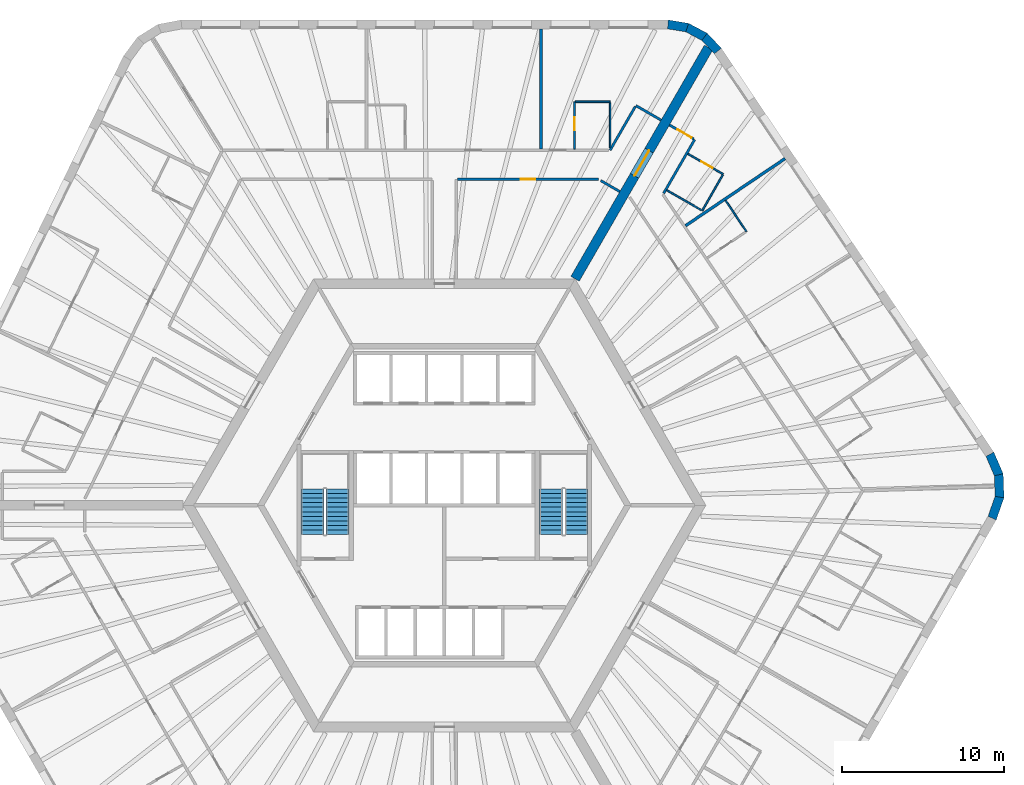
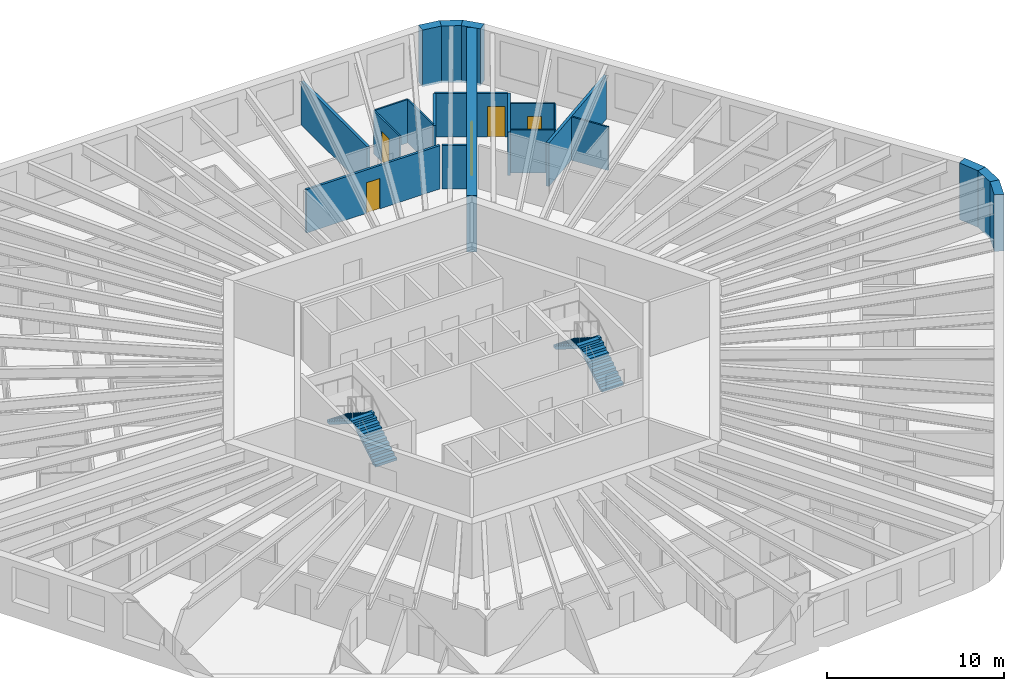
# One storey, part 10 of 11: 22 walls, 5 doors, 4 stair flights, 5 openings, 2 elements without a shape of their own.
"""IFC4 building model written with IfcOpenShell, lengths in metres."""

from ifc_helpers import new_model, si_unit, direction, frame, frame_2d, origin, place, context, subcontext, project, spatial, polyline, rectangle, outline, extrude, material, layer, layer_set, type_object, element, fill, aggregate, save


model = new_model("IFC4")

# Units and contexts
model_context = context("Model", 3, precision=1e-05, world=origin(), true_north=direction((0.0, 1.0)))
body_context = subcontext(model_context, "Body", "Model", "MODEL_VIEW")
ifc_project = project(units=[si_unit("LENGTHUNIT", "METRE"), si_unit("AREAUNIT", "SQUARE_METRE"), si_unit("VOLUMEUNIT", "CUBIC_METRE"), si_unit("PLANEANGLEUNIT", "RADIAN"), si_unit("MASSUNIT", "GRAM", prefix="KILO")], contexts=[model_context])

# Site, building, storey
site_placement = place(None, origin())
site = spatial("IfcSite", under=ifc_project, at=site_placement, CompositionType="ELEMENT")
building_placement = place(site_placement, origin())
building = spatial("IfcBuilding", under=site, at=building_placement, Name="Tarnside Tower", CompositionType="ELEMENT")
storey_placement = place(building_placement, frame((0.0, 0.0, 41.39990234375)))
storey = spatial("IfcBuildingStorey", under=building, at=storey_placement, Name="L07", CompositionType="ELEMENT", Elevation=41.39990234375)

# Wall, opening, door
ifc_material_1 = material(Name="Gypsum board partition on steel studs", Category="steel")
ifc_layer_1 = layer(ifc_material_1, 0.10009765625)
ifc_layer_set_1 = layer_set([ifc_layer_1], Name="Bathroom wall 100")
wall_type_1 = type_object("IfcWallType", Name="Bathroom wall 100", PredefinedType="PARTITIONING", material=ifc_layer_set_1)
wall_1_placement = place(storey_placement, frame((8.0478515625, 22.02490234375, 0.0), z_axis=(0.0, 0.0, 1.0), x_axis=(0.0, 1.0, 0.0)))
wall_1 = element("IfcWall", 1, at=wall_1_placement, inside=storey, type_object=wall_type_1, Name="Bathroom wall 01077", PredefinedType="PARTITIONING", context=body_context, shape_type="SweptSolid", body=[
    extrude(rectangle(XDim=2.925048828125, YDim=0.10009765625, at=frame_2d((1.46240234375, 0.0))), origin(), (0.0, 0.0, 1.0), 2.98779296875),
])
opening_1_placement = place(wall_1_placement, frame((1.175048828125, 0.0, 0.0)))
opening_1 = element("IfcOpeningElement", 2, at=opening_1_placement, cuts=wall_1, Name="Opening D-B1", PredefinedType="OPENING", context=body_context, shape_type="SweptSolid", body=[
    extrude(rectangle(XDim=0.800048828125, YDim=2.10009765625, at=frame_2d((0.39990234375, 1.050048828125))), frame((0.0, 0.06005859375, 0.0), z_axis=(0.0, -1.0, 0.0), x_axis=(1.0, 0.0, 0.0)), (0.0, 0.0, 1.0), 0.1201171875),
])
ifc_material_2 = material(Name="Timber door leaf", Category="wood")
door_type_1 = type_object("IfcDoorType", Name="Bathroom door 800", OperationType="NOTDEFINED", PredefinedType="DOOR", material=ifc_material_2)
door_1_placement = place(opening_1_placement, origin())
door_1 = element("IfcDoor", 3, at=door_1_placement, inside=storey, type_object=door_type_1, Name="Bathroom door 01002", OperationType="SINGLE_SWING_LEFT", OverallHeight=2.10009765625, OverallWidth=0.800048828125, PredefinedType="DOOR", context=body_context, shape_type="SweptSolid", body=[
    extrude(rectangle(XDim=0.800048828125, YDim=2.10009765625, at=frame_2d((0.39990234375, 1.050048828125))), frame((0.0, 0.02490234375, 0.0), z_axis=(0.0, -1.0, 0.0), x_axis=(1.0, 0.0, 0.0)), (0.0, 0.0, 1.0), 0.050048828125),
])
fill(opening_1, door_1)

# Walls
wall_2_placement = place(storey_placement, frame((8.097900390625, 24.949951171875, 0.0), z_axis=(0.0, 0.0, 1.0), x_axis=(1.0, 0.0, 0.0)))
element("IfcWall", 4, at=wall_2_placement, inside=storey, type_object=wall_type_1, Name="Bathroom wall 01078", PredefinedType="PARTITIONING", context=body_context, shape_type="SweptSolid", body=[
    extrude(rectangle(XDim=2.150146484375, YDim=0.10009765625, at=frame_2d((1.0751953125, 0.0))), origin(), (0.0, 0.0, 1.0), 2.98779296875),
])
wall_3_placement = place(storey_placement, frame((10.248046875, 24.89990234375, 0.0), z_axis=(0.0, 0.0, 1.0), x_axis=(0.0, -1.0, 0.0)))
element("IfcWall", 5, at=wall_3_placement, inside=storey, type_object=wall_type_1, Name="Bathroom wall 01079", PredefinedType="PARTITIONING", context=body_context, shape_type="SweptSolid", body=[
    extrude(rectangle(XDim=2.7998046875, YDim=0.10009765625, at=frame_2d((1.39990234375, 0.0))), origin(), (0.0, 0.0, 1.0), 2.98779296875),
])
wall_4_placement = place(storey_placement, frame((17.385986328125, 18.84228515625, 0.0), z_axis=(0.0, 0.0, 1.0), x_axis=(0.559131530856, -0.829078965602, 0.0)))
element("IfcWall", 6, at=wall_4_placement, inside=storey, type_object=wall_type_1, Name="Bathroom wall 01147", PredefinedType="PARTITIONING", context=body_context, shape_type="SweptSolid", body=[
    extrude(rectangle(XDim=2.309814453125, YDim=0.10009765625, at=frame_2d((1.15478515625, 0.0))), origin(), (0.0, 0.0, 1.0), 2.98779296875),
])

# Wall, opening, door
wall_5_placement = place(storey_placement, frame((15.057373046875, 21.72998046875, 0.0), z_axis=(0.0, 0.0, 1.0), x_axis=(0.866014894461, -0.50001820224, 0.0)))
wall_5 = element("IfcWall", 7, at=wall_5_placement, inside=storey, type_object=wall_type_1, Name="Bathroom wall 01153", PredefinedType="PARTITIONING", context=body_context, shape_type="SweptSolid", body=[
    extrude(rectangle(XDim=2.52490234375, YDim=0.10009765625, at=frame_2d((1.262451171875, 0.0))), origin(), (0.0, 0.0, 1.0), 2.98779296875),
])
opening_2_placement = place(wall_5_placement, frame((0.955078125, 0.0, 0.0)))
opening_2 = element("IfcOpeningElement", 8, at=opening_2_placement, cuts=wall_5, Name="Opening D-B1", PredefinedType="OPENING", context=body_context, shape_type="SweptSolid", body=[
    extrude(rectangle(XDim=0.800048828125, YDim=2.10009765625, at=frame_2d((0.39990234375, 1.050048828125))), frame((0.0, 0.06005859375, 0.0), z_axis=(0.0, -1.0, 0.0), x_axis=(1.0, 0.0, 0.0)), (0.0, 0.0, 1.0), 0.1201171875),
])
door_2_placement = place(opening_2_placement, origin())
door_2 = element("IfcDoor", 9, at=door_2_placement, inside=storey, type_object=door_type_1, Name="Bathroom door 01041", OperationType="SINGLE_SWING_LEFT", OverallHeight=2.10009765625, OverallWidth=0.800048828125, PredefinedType="DOOR", context=body_context, shape_type="SweptSolid", body=[
    extrude(rectangle(XDim=0.800048828125, YDim=2.10009765625, at=frame_2d((0.39990234375, 1.050048828125))), frame((0.0, 0.02490234375, 0.0), z_axis=(0.0, -1.0, 0.0), x_axis=(1.0, 0.0, 0.0)), (0.0, 0.0, 1.0), 0.050048828125),
])
fill(opening_2, door_2)

# Walls
wall_6_placement = place(storey_placement, frame((17.218994140625, 20.42431640625, 0.0), z_axis=(0.0, 0.0, 1.0), x_axis=(-0.499948979701, -0.866054858364, 0.0)))
element("IfcWall", 10, at=wall_6_placement, inside=storey, type_object=wall_type_1, Name="Bathroom wall 01154", PredefinedType="PARTITIONING", context=body_context, shape_type="SweptSolid", body=[
    extrude(rectangle(XDim=2.550048828125, YDim=0.10009765625, at=frame_2d((1.27490234375, 0.0))), origin(), (0.0, 0.0, 1.0), 2.98779296875),
])
wall_7_placement = place(storey_placement, frame((15.900634765625, 18.24072265625, 0.0), z_axis=(0.0, 0.0, 1.0), x_axis=(-0.866006523861, 0.500032699561, 0.0)))
element("IfcWall", 11, at=wall_7_placement, inside=storey, type_object=wall_type_1, Name="Bathroom wall 01155", PredefinedType="PARTITIONING", context=body_context, shape_type="SweptSolid", body=[
    extrude(rectangle(XDim=2.474853515625, YDim=0.10009765625, at=frame_2d((1.2373046875, 0.0))), origin(), (0.0, 0.0, 1.0), 2.98779296875),
])

# Wall, opening, door
ifc_material_3 = material(Name="Concrete C80/95", Category="concrete")
ifc_layer_2 = layer(ifc_material_3, 0.60009765625)
ifc_layer_set_2 = layer_set([ifc_layer_2], Name="Core wall Z1 600 C80/95")
wall_type_2 = type_object("IfcWallType", Name="Core wall Z1 600 C80/95", PredefinedType="SHEAR", material=ifc_layer_set_2)
wall_8_placement = place(storey_placement, frame((8.0830078125, 14.0, -0.14990234375), z_axis=(0.0, 0.0, 1.0), x_axis=(0.499997680643, 0.866026742862, 0.0)))
wall_8 = element("IfcWall", 12, at=wall_8_placement, inside=storey, type_object=wall_type_2, Name="L07 spine wall 1", PredefinedType="SHEAR", context=body_context, shape_type="SweptSolid", body=[
    extrude(rectangle(XDim=16.5087890625, YDim=0.60009765625, at=frame_2d((8.25439453125, 0.0))), origin(), (0.0, 0.0, 1.0), 3.89990234375),
])
opening_3_placement = place(wall_8_placement, frame((7.3544921875, 0.0, 0.14990234375)))
opening_3 = element("IfcOpeningElement", 13, at=opening_3_placement, cuts=wall_8, Name="Opening CD-SPN", PredefinedType="OPENING", context=body_context, shape_type="SweptSolid", body=[
    extrude(rectangle(XDim=1.800048828125, YDim=2.39990234375, at=frame_2d((0.89990234375, 1.199951171875))), frame((0.0, 0.31005859375, 0.0), z_axis=(0.0, -1.0, 0.0), x_axis=(1.0, 0.0, 0.0)), (0.0, 0.0, 1.0), 0.6201171875),
])
ifc_material_4 = material(Name="Steel fire door", Category="steel")
door_type_2 = type_object("IfcDoorType", Name="Spine passage double door FD60 1800x2400", OperationType="NOTDEFINED", PredefinedType="DOOR", material=ifc_material_4)
door_3_placement = place(opening_3_placement, origin())
door_3 = element("IfcDoor", 14, at=door_3_placement, inside=storey, type_object=door_type_2, Name="L07 spine passage door 1", OperationType="DOUBLE_DOOR_SINGLE_SWING", OverallHeight=2.39990234375, OverallWidth=1.800048828125, PredefinedType="DOOR", context=body_context, shape_type="SweptSolid", body=[
    extrude(rectangle(XDim=1.800048828125, YDim=2.39990234375, at=frame_2d((0.89990234375, 1.199951171875))), frame((0.0, 0.02490234375, 0.0), z_axis=(0.0, -1.0, 0.0), x_axis=(1.0, 0.0, 0.0)), (0.0, 0.0, 1.0), 0.050048828125),
])
fill(opening_3, door_3)

# Walls
ifc_layer_3 = layer(ifc_material_1, 0.14990234375)
ifc_layer_set_3 = layer_set([ifc_layer_3], Name="Corridor wall 150 EI 60")
wall_type_3 = type_object("IfcWallType", Name="Corridor wall 150 EI 60", PredefinedType="PARTITIONING", material=ifc_layer_set_3)
wall_9_placement = place(storey_placement, frame((13.400390625, 23.81005859375, 0.0), z_axis=(0.0, 0.0, 1.0), x_axis=(-0.865989075817, 0.500062916607, 0.0)))
element("IfcWall", 15, at=wall_9_placement, inside=storey, type_object=wall_type_3, Name="Corridor wall 01002", PredefinedType="PARTITIONING", context=body_context, shape_type="SweptSolid", body=[
    extrude(rectangle(XDim=1.800048828125, YDim=0.14990234375, at=frame_2d((0.89990234375, 0.0))), origin(), (0.0, 0.0, 1.0), 2.98779296875),
])
wall_10_placement = place(storey_placement, frame((11.803955078125, 24.64501953125, 0.0), z_axis=(0.0, 0.0, 1.0), x_axis=(-0.499978251519, -0.866037959912, 0.0)))
element("IfcWall", 16, at=wall_10_placement, inside=storey, type_object=wall_type_3, Name="Corridor wall 01003", PredefinedType="PARTITIONING", context=body_context, shape_type="SweptSolid", body=[
    extrude(rectangle(XDim=3.112060546875, YDim=0.14990234375, at=frame_2d((1.55615234375, 0.0))), origin(), (0.0, 0.0, 1.0), 2.98779296875),
])

# Wall, opening, door
wall_11_placement = place(storey_placement, frame((0.824951171875, 20.14990234375, 0.0), z_axis=(0.0, 0.0, 1.0), x_axis=(1.0, 0.0, 0.0)))
wall_11 = element("IfcWall", 17, at=wall_11_placement, inside=storey, type_object=wall_type_3, Name="Corridor wall 01021", PredefinedType="PARTITIONING", context=body_context, shape_type="SweptSolid", body=[
    extrude(rectangle(XDim=8.712158203125, YDim=0.14990234375, at=frame_2d((4.35595703125, 0.0))), origin(), (0.0, 0.0, 1.0), 2.98779296875),
])
opening_4_placement = place(wall_11_placement, frame((3.906005859375, 0.0, 0.0)))
opening_4 = element("IfcOpeningElement", 18, at=opening_4_placement, cuts=wall_11, Name="Opening D-S1", PredefinedType="OPENING", context=body_context, shape_type="SweptSolid", body=[
    extrude(rectangle(XDim=0.89990234375, YDim=2.10009765625, at=frame_2d((0.449951171875, 1.050048828125))), frame((0.0, 0.0849609375, 0.0), z_axis=(0.0, -1.0, 0.0), x_axis=(1.0, 0.0, 0.0)), (0.0, 0.0, 1.0), 0.169921875),
])
door_type_3 = type_object("IfcDoorType", Name="Service room door 900 FD30S", OperationType="NOTDEFINED", PredefinedType="DOOR", material=ifc_material_2)
door_4_placement = place(opening_4_placement, origin())
door_4 = element("IfcDoor", 19, at=door_4_placement, inside=storey, type_object=door_type_3, Name="Service door 01043", OperationType="SINGLE_SWING_RIGHT", OverallHeight=2.10009765625, OverallWidth=0.89990234375, PredefinedType="DOOR", context=body_context, shape_type="SweptSolid", body=[
    extrude(rectangle(XDim=0.89990234375, YDim=2.10009765625, at=frame_2d((0.449951171875, 1.050048828125))), frame((0.0, 0.02490234375, 0.0), z_axis=(0.0, -1.0, 0.0), x_axis=(1.0, 0.0, 0.0)), (0.0, 0.0, 1.0), 0.050048828125),
])
fill(opening_4, door_4)

# Walls
wall_12_placement = place(storey_placement, frame((9.6669921875, 20.074951171875, 0.0), z_axis=(0.0, 0.0, 1.0), x_axis=(0.866000994684, -0.500042275419, 0.0)))
element("IfcWall", 20, at=wall_12_placement, inside=storey, type_object=wall_type_3, Name="Corridor wall 01022", PredefinedType="PARTITIONING", context=body_context, shape_type="SweptSolid", body=[
    extrude(rectangle(XDim=1.36572265625, YDim=0.14990234375, at=frame_2d((0.682861328125, 0.0))), origin(), (0.0, 0.0, 1.0), 2.98779296875),
])
wall_13_placement = place(storey_placement, frame((13.55908203125, 19.284912109375, 0.0), z_axis=(0.0, 0.0, 1.0), x_axis=(0.499975646431, 0.866039463868, 0.0)))
element("IfcWall", 21, at=wall_13_placement, inside=storey, type_object=wall_type_3, Name="Corridor wall 01064", PredefinedType="PARTITIONING", context=body_context, shape_type="SweptSolid", body=[
    extrude(rectangle(XDim=3.839599609375, YDim=0.14990234375, at=frame_2d((1.919921875, 0.0))), origin(), (0.0, 0.0, 1.0), 2.98779296875),
])

# Wall, opening, door
wall_14_placement = place(storey_placement, frame((15.413818359375, 22.647705078125, 0.0), z_axis=(0.0, 0.0, 1.0), x_axis=(-0.866074815912, 0.499914405916, 0.0)))
wall_14 = element("IfcWall", 22, at=wall_14_placement, inside=storey, type_object=wall_type_3, Name="Corridor wall 01066", PredefinedType="PARTITIONING", context=body_context, shape_type="SweptSolid", body=[
    extrude(rectangle(XDim=1.724853515625, YDim=0.14990234375, at=frame_2d((0.8623046875, 0.0))), origin(), (0.0, 0.0, 1.0), 2.98779296875),
])
opening_5_placement = place(wall_14_placement, frame((0.14990234375, 0.0, 0.0)))
opening_5 = element("IfcOpeningElement", 23, at=opening_5_placement, cuts=wall_14, Name="Opening D-E1", PredefinedType="OPENING", context=body_context, shape_type="SweptSolid", body=[
    extrude(rectangle(XDim=1.0, YDim=2.10009765625, at=frame_2d((0.5, 1.050048828125))), frame((0.0, 0.0849609375, 0.0), z_axis=(0.0, -1.0, 0.0), x_axis=(1.0, 0.0, 0.0)), (0.0, 0.0, 1.0), 0.169921875),
])
door_type_4 = type_object("IfcDoorType", Name="Unit entrance door 1000 FD30S", OperationType="NOTDEFINED", PredefinedType="DOOR", material=ifc_material_2)
door_5_placement = place(opening_5_placement, origin())
door_5 = element("IfcDoor", 24, at=door_5_placement, inside=storey, type_object=door_type_4, Name="Unit door 01040", OperationType="SINGLE_SWING_RIGHT", OverallHeight=2.10009765625, OverallWidth=1.0, PredefinedType="DOOR", context=body_context, shape_type="SweptSolid", body=[
    extrude(rectangle(XDim=1.0, YDim=2.10009765625, at=frame_2d((0.5, 1.050048828125))), frame((0.0, 0.02490234375, 0.0), z_axis=(0.0, -1.0, 0.0), x_axis=(1.0, 0.0, 0.0)), (0.0, 0.0, 1.0), 0.050048828125),
])
fill(opening_5, door_5)

# Walls
ifc_layer_4 = layer(ifc_material_1, 0.179931640625)
ifc_layer_set_4 = layer_set([ifc_layer_4], Name="Demising wall 180 EI 60")
wall_type_4 = type_object("IfcWallType", Name="Demising wall 180 EI 60", PredefinedType="PARTITIONING", material=ifc_layer_set_4)
for number, where, z_axis, x_axis, name in (
    (25, (5.989013671875, 29.449951171875, 0.0), (0.0, 0.0, 1.0), (0.0, -1.0, 0.0), "Demising wall 01080"),
    (26, (21.066162109375, 21.433349609375, 0.0), (0.0, 0.0, 1.0), (-0.829028170871, -0.559206841788, 0.0), "Demising wall 01151"),
):
    element("IfcWall", number, at=place(storey_placement, frame(where, z_axis=z_axis, x_axis=x_axis)), inside=storey, type_object=wall_type_4, Name=name, PredefinedType="PARTITIONING", context=body_context, shape_type="SweptSolid", body=[
        extrude(rectangle(XDim=7.425048828125, YDim=0.179931640625, at=frame_2d((3.71240234375, 0.0))), origin(), (0.0, 0.0, 1.0), 2.98779296875),
    ])
ifc_material_5 = material(Name="Facing brick", Category="masonry")
ifc_layer_5 = layer(ifc_material_5, 0.10205078125)
ifc_material_6 = material(Name="Concrete C60/75 precast", Category="concrete")
ifc_layer_6 = layer(ifc_material_6, 0.347900390625)
ifc_material_7 = material(Name="Mineral wool insulation")
ifc_layer_7 = layer(ifc_material_7, 0.10009765625)
ifc_layer_set_5 = layer_set([ifc_layer_5, ifc_layer_6, ifc_layer_7], Name="Tube wall 550 brick faced")
wall_type_5 = type_object("IfcWallType", Name="Tube wall 550 brick faced", PredefinedType="SOLIDWALL", material=ifc_layer_set_5)
wall_15_placement = place(storey_placement, frame((33.865966796875, -0.79248046875, -0.14990234375), z_axis=(0.0, 0.0, 1.0), x_axis=(0.33111537203, 0.943590276765, 0.0)))
element("IfcWall", 27, at=wall_15_placement, inside=storey, type_object=wall_type_5, Name="Tube wall L07 F5 chord 17", PredefinedType="SOLIDWALL", context=body_context, shape_type="SweptSolid", body=[
    extrude(outline(polyline([(-0.025634765625, -0.27490234375), (1.4306640625, -0.27490234375), (1.3271484375, 0.27490234375), (0.025634765625, 0.27490234375), (-0.025634765625, -0.27490234375)])), origin(), (0.0, 0.0, 1.0), 3.89990234375),
])
wall_16_placement = place(storey_placement, frame((34.322509765625, 0.508544921875, -0.14990234375), z_axis=(0.0, 0.0, 1.0), x_axis=(-0.034876908462, 0.999391615562, 0.0)))
element("IfcWall", 28, at=wall_16_placement, inside=storey, type_object=wall_type_5, Name="Tube wall L07 F5 chord 18", PredefinedType="SOLIDWALL", context=body_context, shape_type="SweptSolid", body=[
    extrude(outline(polyline([(-0.0517578125, -0.27490234375), (1.4306640625, -0.27490234375), (1.3271484375, 0.27490234375), (0.0517578125, 0.27490234375), (-0.0517578125, -0.27490234375)])), origin(), (0.0, 0.0, 1.0), 3.89990234375),
])
wall_17_placement = place(storey_placement, frame((34.2744140625, 1.88671875, -0.14990234375), z_axis=(0.0, 0.0, 1.0), x_axis=(-0.396161342798, 0.918180913803, 0.0)))
element("IfcWall", 29, at=wall_17_placement, inside=storey, type_object=wall_type_5, Name="Tube wall L07 F5 chord 19", PredefinedType="SOLIDWALL", context=body_context, shape_type="SweptSolid", body=[
    extrude(outline(polyline([(-0.0517578125, -0.27490234375), (1.40478515625, -0.27490234375), (1.353515625, 0.27490234375), (0.0517578125, 0.27490234375), (-0.0517578125, -0.27490234375)])), origin(), (0.0, 0.0, 1.0), 3.89990234375),
])
wall_18_placement = place(storey_placement, frame((16.91259765625, 28.0830078125, -0.14990234375), z_axis=(0.0, 0.0, 1.0), x_axis=(-0.686196220404, 0.727416488061, 0.0)))
element("IfcWall", 30, at=wall_18_placement, inside=storey, type_object=wall_type_5, Name="Tube wall L07 F6 chord 21", PredefinedType="SOLIDWALL", context=body_context, shape_type="SweptSolid", body=[
    extrude(outline(polyline([(-0.0224609375, -0.27490234375), (1.25341796875, -0.27490234375), (1.1630859375, 0.27490234375), (0.0224609375, 0.27490234375), (-0.0224609375, -0.27490234375)])), origin(), (0.0, 0.0, 1.0), 3.89990234375),
])
wall_19_placement = place(storey_placement, frame((16.08349609375, 28.9619140625, -0.14990234375), z_axis=(0.0, 0.0, 1.0), x_axis=(-0.882995347911, 0.469381737574, 0.0)))
element("IfcWall", 31, at=wall_19_placement, inside=storey, type_object=wall_type_5, Name="Tube wall L07 F6 chord 22", PredefinedType="SOLIDWALL", context=body_context, shape_type="SweptSolid", body=[
    extrude(outline(polyline([(-0.045166015625, -0.27490234375), (1.25341796875, -0.27490234375), (1.1630859375, 0.27490234375), (0.045166015625, 0.27490234375), (-0.045166015625, -0.27490234375)])), origin(), (0.0, 0.0, 1.0), 3.89990234375),
])
wall_20_placement = place(storey_placement, frame((15.0166015625, 29.529052734375, -0.14990234375), z_axis=(0.0, 0.0, 1.0), x_axis=(-0.986746625868, 0.162268593195, 0.0)))
element("IfcWall", 32, at=wall_20_placement, inside=storey, type_object=wall_type_5, Name="Tube wall L07 F6 chord 23", PredefinedType="SOLIDWALL", context=body_context, shape_type="SweptSolid", body=[
    extrude(outline(polyline([(-0.045166015625, -0.27490234375), (1.230712890625, -0.27490234375), (1.185791015625, 0.27490234375), (0.045166015625, 0.27490234375), (-0.045166015625, -0.27490234375)])), origin(), (0.0, 0.0, 1.0), 3.89990234375),
])

# Stair, stair flights
ifc_material_8 = material(Name="Concrete C40/50", Category="concrete")
stair_type = type_object("IfcStairType", Name="Exit stair 1400 clear", PredefinedType="HALF_TURN_STAIR", material=ifc_material_8)
stair_1_placement = place(storey_placement, origin())
stair_1 = element("IfcStair", 33, at=stair_1_placement, inside=storey, type_object=stair_type, Name="L07 Exit stair 1", PredefinedType="HALF_TURN_STAIR")
stair_flight_type = type_object("IfcStairFlightType", Name="Exit stair flight 1400", PredefinedType="STRAIGHT", material=ifc_material_8)
stair_flight_1_placement = place(storey_placement, frame((8.14990234375, -1.800048828125, 0.0), z_axis=(0.0, 0.0, 1.0), x_axis=(0.0, 1.0, 0.0)))
stair_flight_1 = element("IfcStairFlight", 34, at=stair_flight_1_placement, type_object=stair_flight_type, Name="ST1 flight 1", NumberOfRisers=11, NumberOfTreads=10, PredefinedType="STRAIGHT", RiserHeight=0.177272727, TreadLength=0.28, context=body_context, shape_type="SweptSolid", body=[
    extrude(outline(polyline([(0.0, 0.0), (0.0, 0.17724609375), (0.280029296875, 0.17724609375), (0.280029296875, 0.3544921875), (0.56005859375, 0.3544921875), (0.56005859375, 0.53173828125), (0.840087890625, 0.53173828125), (0.840087890625, 0.708984375), (1.1201171875, 0.708984375), (1.1201171875, 0.886474609375), (1.39990234375, 0.886474609375), (1.39990234375, 1.063720703125), (1.679931640625, 1.063720703125), (1.679931640625, 1.240966796875), (1.9599609375, 1.240966796875), (1.9599609375, 1.418212890625), (2.239990234375, 1.418212890625), (2.239990234375, 1.595458984375), (2.52001953125, 1.595458984375), (2.52001953125, 1.772705078125), (2.800048828125, 1.772705078125), (2.800048828125, 1.949951171875), (2.800048828125, 1.59521484375), (0.2802734375, 0.0), (0.0, 0.0)])), frame((0.0, 0.699951171875, 0.0), z_axis=(0.0, -1.0, 0.0), x_axis=(1.0, 0.0, 0.0)), (0.0, 0.0, 1.0), 1.39990234375),
])
stair_flight_2_placement = place(storey_placement, frame((6.60009765625, 1.0, 1.9501953125), z_axis=(0.0, 0.0, 1.0), x_axis=(0.0, -1.0, 0.0)))
stair_flight_2 = element("IfcStairFlight", 35, at=stair_flight_2_placement, type_object=stair_flight_type, Name="ST1 flight 2", NumberOfRisers=11, NumberOfTreads=10, PredefinedType="STRAIGHT", RiserHeight=0.177272727, TreadLength=0.28, context=body_context, shape_type="SweptSolid", body=[
    extrude(outline(polyline([(0.0, 0.0), (0.0, 0.17724609375), (0.280029296875, 0.17724609375), (0.280029296875, 0.3544921875), (0.56005859375, 0.3544921875), (0.56005859375, 0.53173828125), (0.840087890625, 0.53173828125), (0.840087890625, 0.708984375), (1.1201171875, 0.708984375), (1.1201171875, 0.886474609375), (1.39990234375, 0.886474609375), (1.39990234375, 1.063720703125), (1.679931640625, 1.063720703125), (1.679931640625, 1.240966796875), (1.9599609375, 1.240966796875), (1.9599609375, 1.418212890625), (2.239990234375, 1.418212890625), (2.239990234375, 1.595458984375), (2.52001953125, 1.595458984375), (2.52001953125, 1.772705078125), (2.800048828125, 1.772705078125), (2.800048828125, 1.949951171875), (2.800048828125, 1.59521484375), (0.2802734375, 0.0), (0.0, 0.0)])), frame((0.0, 0.699951171875, 0.0), z_axis=(0.0, -1.0, 0.0), x_axis=(1.0, 0.0, 0.0)), (0.0, 0.0, 1.0), 1.39990234375),
])
aggregate(stair_1, [stair_flight_1, stair_flight_2])

stair_2_placement = place(storey_placement, origin())
stair_2 = element("IfcStair", 36, at=stair_2_placement, inside=storey, type_object=stair_type, Name="L07 Exit stair 2", PredefinedType="HALF_TURN_STAIR")
stair_flight_3_placement = place(storey_placement, frame((-6.60009765625, -1.800048828125, 0.0), z_axis=(0.0, 0.0, 1.0), x_axis=(0.0, 1.0, 0.0)))
stair_flight_3 = element("IfcStairFlight", 37, at=stair_flight_3_placement, type_object=stair_flight_type, Name="ST2 flight 1", NumberOfRisers=11, NumberOfTreads=10, PredefinedType="STRAIGHT", RiserHeight=0.177272727, TreadLength=0.28, context=body_context, shape_type="SweptSolid", body=[
    extrude(outline(polyline([(0.0, 0.0), (0.0, 0.17724609375), (0.280029296875, 0.17724609375), (0.280029296875, 0.3544921875), (0.56005859375, 0.3544921875), (0.56005859375, 0.53173828125), (0.840087890625, 0.53173828125), (0.840087890625, 0.708984375), (1.1201171875, 0.708984375), (1.1201171875, 0.886474609375), (1.39990234375, 0.886474609375), (1.39990234375, 1.063720703125), (1.679931640625, 1.063720703125), (1.679931640625, 1.240966796875), (1.9599609375, 1.240966796875), (1.9599609375, 1.418212890625), (2.239990234375, 1.418212890625), (2.239990234375, 1.595458984375), (2.52001953125, 1.595458984375), (2.52001953125, 1.772705078125), (2.800048828125, 1.772705078125), (2.800048828125, 1.949951171875), (2.800048828125, 1.59521484375), (0.2802734375, 0.0), (0.0, 0.0)])), frame((0.0, 0.699951171875, 0.0), z_axis=(0.0, -1.0, 0.0), x_axis=(1.0, 0.0, 0.0)), (0.0, 0.0, 1.0), 1.39990234375),
])
stair_flight_4_placement = place(storey_placement, frame((-8.14990234375, 1.0, 1.9501953125), z_axis=(0.0, 0.0, 1.0), x_axis=(0.0, -1.0, 0.0)))
stair_flight_4 = element("IfcStairFlight", 38, at=stair_flight_4_placement, type_object=stair_flight_type, Name="ST2 flight 2", NumberOfRisers=11, NumberOfTreads=10, PredefinedType="STRAIGHT", RiserHeight=0.177272727, TreadLength=0.28, context=body_context, shape_type="SweptSolid", body=[
    extrude(outline(polyline([(0.0, 0.0), (0.0, 0.17724609375), (0.280029296875, 0.17724609375), (0.280029296875, 0.3544921875), (0.56005859375, 0.3544921875), (0.56005859375, 0.53173828125), (0.840087890625, 0.53173828125), (0.840087890625, 0.708984375), (1.1201171875, 0.708984375), (1.1201171875, 0.886474609375), (1.39990234375, 0.886474609375), (1.39990234375, 1.063720703125), (1.679931640625, 1.063720703125), (1.679931640625, 1.240966796875), (1.9599609375, 1.240966796875), (1.9599609375, 1.418212890625), (2.239990234375, 1.418212890625), (2.239990234375, 1.595458984375), (2.52001953125, 1.595458984375), (2.52001953125, 1.772705078125), (2.800048828125, 1.772705078125), (2.800048828125, 1.949951171875), (2.800048828125, 1.59521484375), (0.2802734375, 0.0), (0.0, 0.0)])), frame((0.0, 0.699951171875, 0.0), z_axis=(0.0, -1.0, 0.0), x_axis=(1.0, 0.0, 0.0)), (0.0, 0.0, 1.0), 1.39990234375),
])
aggregate(stair_2, [stair_flight_3, stair_flight_4])

save(model, "model.ifc")
